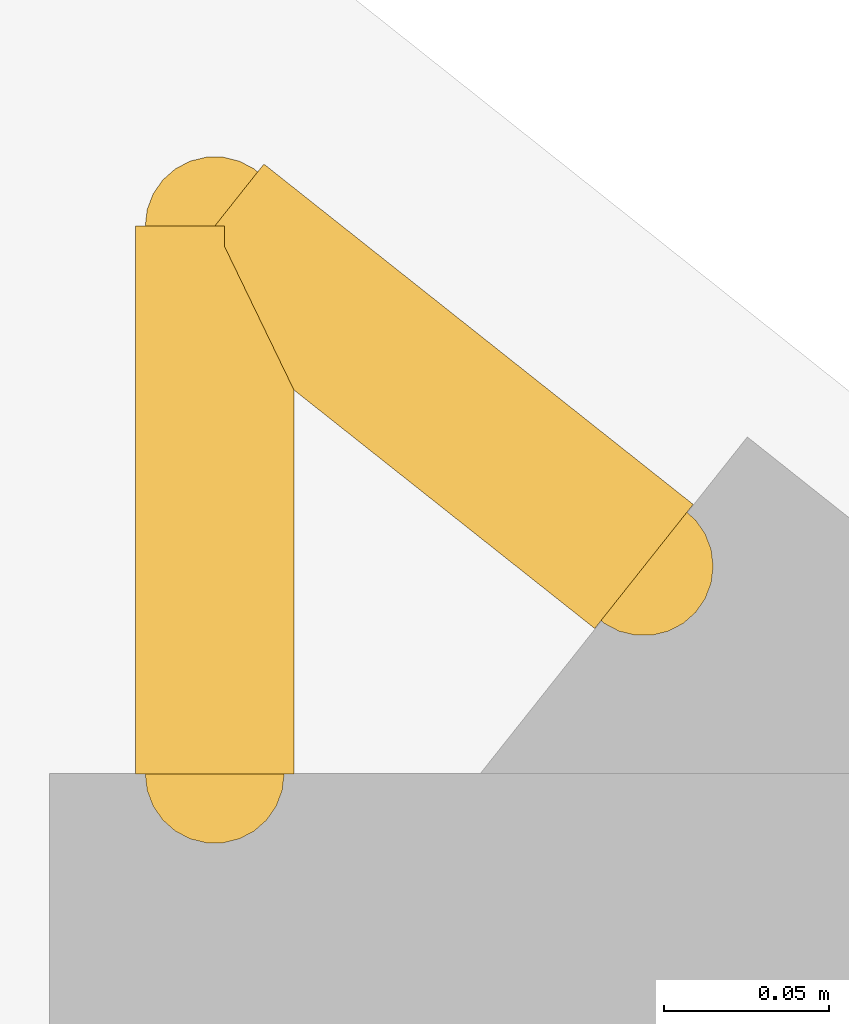
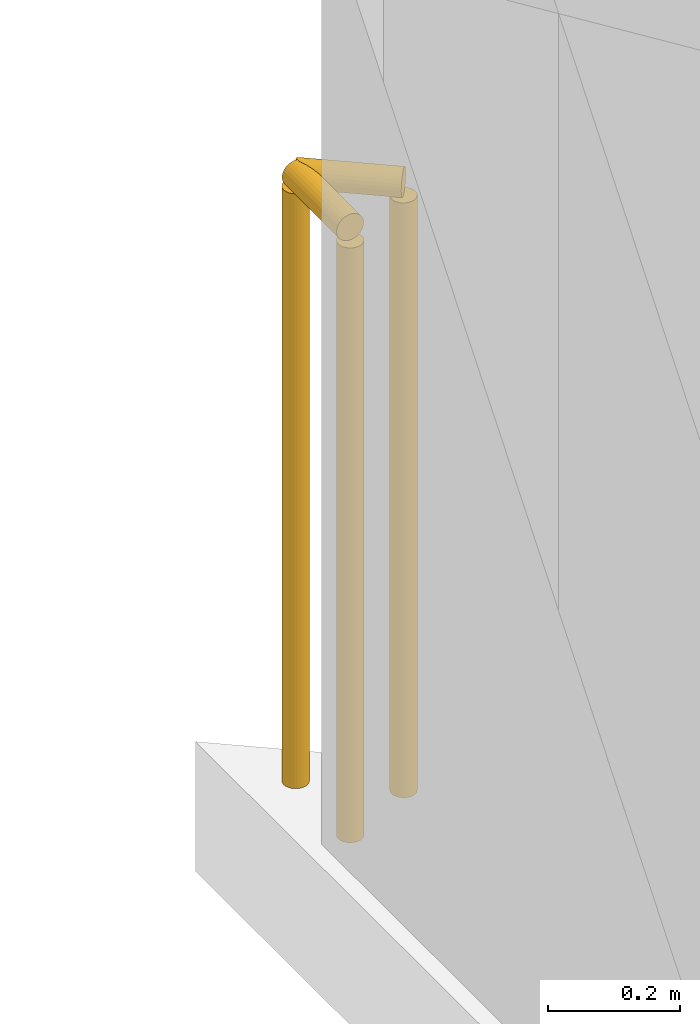
# One storey, part 16 of 16: 2 railings.
"""IFC4 building model written with IfcOpenShell, lengths in metres."""

from ifc_helpers import new_model, si_unit, direction, frame, origin, origin_2d, place, context, subcontext, project, spatial, circle, extrude, material, type_object, element, save


model = new_model("IFC4")

# Units and contexts
model_context = context("Model", 3, precision=1e-05, world=origin(), true_north=direction((0.0, 1.0)))
body_context = subcontext(model_context, "Body", "Model", "MODEL_VIEW")
ifc_project = project(units=[si_unit("LENGTHUNIT", "METRE"), si_unit("AREAUNIT", "SQUARE_METRE"), si_unit("VOLUMEUNIT", "CUBIC_METRE"), si_unit("PLANEANGLEUNIT", "RADIAN"), si_unit("MASSUNIT", "GRAM", prefix="KILO")], contexts=[model_context])

# Site, building, storey
site_placement = place(None, origin())
site = spatial("IfcSite", under=ifc_project, at=site_placement, CompositionType="ELEMENT")
building_placement = place(site_placement, origin())
building = spatial("IfcBuilding", under=site, at=building_placement, Name="Varnakote Quay Hospital", CompositionType="ELEMENT")
storey_placement = place(building_placement, frame((0.0, 0.0, 268.39990234375)))
storey = spatial("IfcBuildingStorey", under=building, at=storey_placement, Name="L66", CompositionType="ELEMENT", Elevation=268.39990234375)

# Railings
ifc_material = material(Name="Anodised aluminium 6063-T6 Bronze", Category="aluminium")
railing_type = type_object("IfcRailingType", Name="RLG-EXT-GUARD-1150", PredefinedType="GUARDRAIL", material=ifc_material)
railing_1_placement = place(storey_placement, frame((2.47998046875, 41.268798828125, 0.0)))
element("IfcRailing", 1, at=railing_1_placement, inside=storey, type_object=railing_type, Name="L66 Slab Edge Perimeter Safety Guard", PredefinedType="GUARDRAIL", context=body_context, shape_type="SweptSolid", body=[
    extrude(circle(Radius=0.02392578125, at=origin_2d()), frame((0.0, 0.0, 1.1259765625), z_axis=(0.0, 1.0, 0.0), x_axis=(-1.0, 0.0, 0.0)), (0.0, 0.0, 1.0), 0.16552734375),
    extrude(circle(Radius=0.02099609375, at=origin_2d()), origin(), (0.0, 0.0, 1.0), 1.101806640625),
    extrude(circle(Radius=0.02099609375, at=origin_2d()), frame((0.0, 0.16552734375, 0.0)), (0.0, 0.0, 1.0), 1.101806640625),
])
railing_2_placement = place(storey_placement, frame((2.47998046875, 41.434326171875, 0.0)))
element("IfcRailing", 2, at=railing_2_placement, inside=storey, type_object=railing_type, Name="L66 Slab Edge Perimeter Safety Guard", PredefinedType="GUARDRAIL", context=body_context, shape_type="SweptSolid", body=[
    extrude(circle(Radius=0.02392578125, at=origin_2d()), frame((0.0, 0.0, 1.1259765625), z_axis=(0.783596767237, -0.621269753308, 0.0), x_axis=(0.621269753308, 0.783596767237, 0.0)), (0.0, 0.0, 1.0), 0.16552734375),
    extrude(circle(Radius=0.02099609375, at=origin_2d()), origin(), (0.0, 0.0, 1.0), 1.101806640625),
    extrude(circle(Radius=0.02099609375, at=origin_2d()), frame((0.129638671875, -0.102783203125, 0.0)), (0.0, 0.0, 1.0), 1.101806640625),
])

save(model, "model.ifc")
